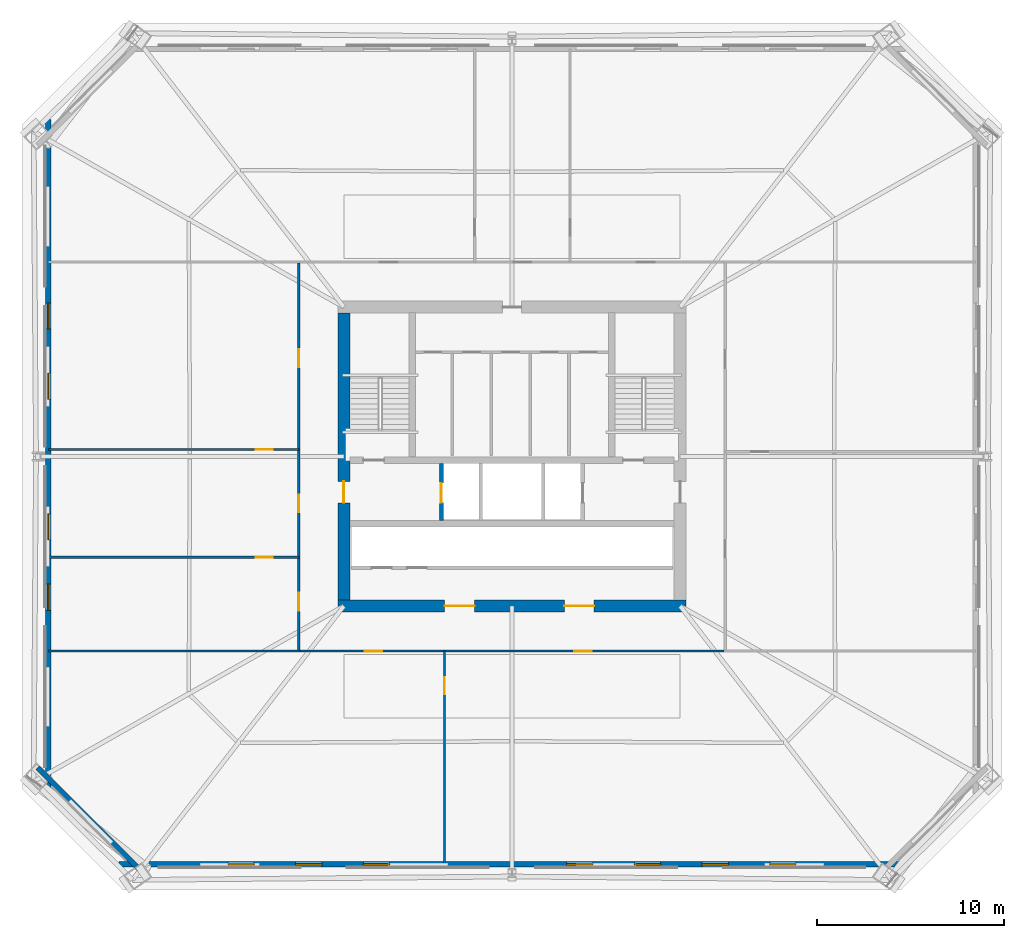
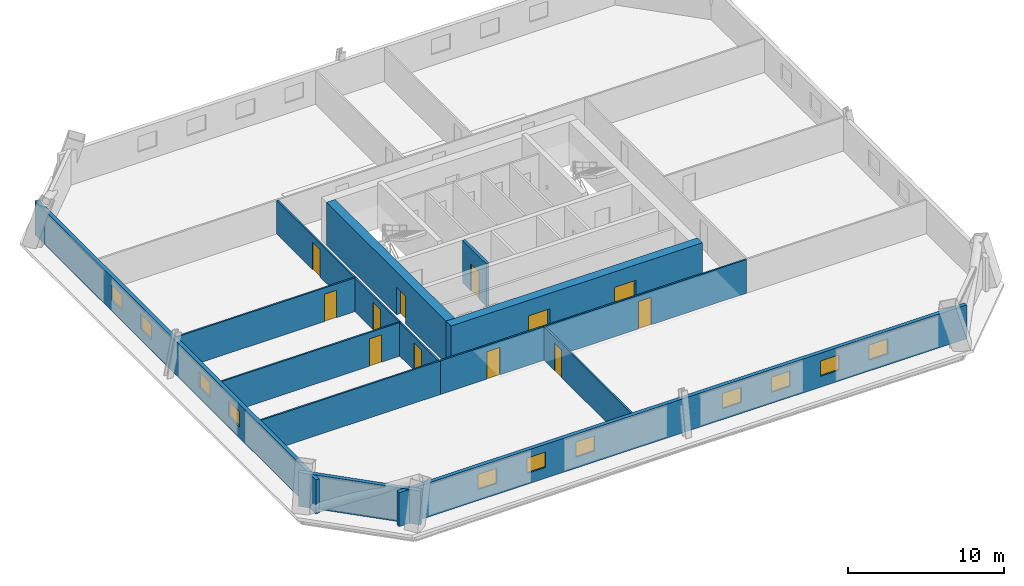
# One storey, part 5 of 10: 12 doors, 12 walls, 11 windows, 23 openings.
"""IFC4 building model written with IfcOpenShell, lengths in metres."""

from ifc_helpers import new_model, si_unit, direction, frame, frame_2d, origin, place, context, subcontext, project, spatial, rectangle, extrude, material, layer, layer_set, type_object, element, fill, save


model = new_model("IFC4")

# Units and contexts
model_context = context("Model", 3, precision=1e-05, world=origin(), true_north=direction((0.0, 1.0)))
body_context = subcontext(model_context, "Body", "Model", "MODEL_VIEW")
ifc_project = project(units=[si_unit("LENGTHUNIT", "METRE"), si_unit("AREAUNIT", "SQUARE_METRE"), si_unit("VOLUMEUNIT", "CUBIC_METRE"), si_unit("PLANEANGLEUNIT", "RADIAN"), si_unit("MASSUNIT", "GRAM", prefix="KILO")], contexts=[model_context])

# Site, building, storey
site_placement = place(None, origin())
site = spatial("IfcSite", under=ifc_project, at=site_placement, CompositionType="ELEMENT")
building_placement = place(site_placement, origin())
building = spatial("IfcBuilding", under=site, at=building_placement, Name="Caelvoria Tower", CompositionType="ELEMENT")
storey_placement = place(building_placement, frame((0.0, 0.0, 78.39990234375)))
storey = spatial("IfcBuildingStorey", under=building, at=storey_placement, Name="L20", CompositionType="ELEMENT", Elevation=78.39990234375)

# Wall, openings, windows
ifc_material_1 = material(Name="Precast Concrete C40/50 with Bronze Cladding", Category="concrete")
ifc_layer_1 = layer(ifc_material_1, 0.280029296875, Name="Precast Concrete C40/50 with Bronze Cladding")
ifc_layer_set_1 = layer_set([ifc_layer_1], Name="Exterior Precast Concrete C40/50 Bronze-Clad Facade Wall 280 - Precast Concrete C40/50 with Bronze Cladding")
wall_type_1 = type_object("IfcWallType", Name="Exterior Precast Concrete C40/50 Bronze-Clad Facade Wall 280", PredefinedType="STANDARD", material=ifc_layer_set_1)
wall_1_placement = place(storey_placement, frame((24.9599609375, 10.179931640625, 0.0), z_axis=(0.0, 0.0, 1.0), x_axis=(1.0, 0.0, 0.0)))
wall_1 = element("IfcWall", 1, at=wall_1_placement, inside=storey, type_object=wall_type_1, Name="Exterior Facade Wall L20-E0", PredefinedType="STANDARD", context=body_context, shape_type="SweptSolid", body=[
    extrude(rectangle(XDim=42.080078125, YDim=0.280029296875, at=frame_2d((21.0400390625, 0.0))), origin(), (0.0, 0.0, 1.0), 2.662109375),
])
opening_1_placement = place(wall_1_placement, frame((5.838134765625, 0.0, 0.85009765625)))
opening_1 = element("IfcOpeningElement", 2, at=opening_1_placement, cuts=wall_1, Name="Opening WN-06", PredefinedType="OPENING", context=body_context, shape_type="SweptSolid", body=[
    extrude(rectangle(XDim=1.39990234375, YDim=1.199951171875, at=frame_2d((0.699951171875, 0.60009765625))), frame((0.0, 0.14990234375, 0.0), z_axis=(0.0, -1.0, 0.0), x_axis=(1.0, 0.0, 0.0)), (0.0, 0.0, 1.0), 0.300048828125),
])
opening_2_placement = place(wall_1_placement, frame((9.463623046875, 0.0, 0.85009765625)))
opening_2 = element("IfcOpeningElement", 3, at=opening_2_placement, cuts=wall_1, Name="Opening WN-06", PredefinedType="OPENING", context=body_context, shape_type="SweptSolid", body=[
    extrude(rectangle(XDim=1.39990234375, YDim=1.199951171875, at=frame_2d((0.699951171875, 0.60009765625))), frame((0.0, 0.14990234375, 0.0), z_axis=(0.0, -1.0, 0.0), x_axis=(1.0, 0.0, 0.0)), (0.0, 0.0, 1.0), 0.300048828125),
])
opening_3_placement = place(wall_1_placement, frame((13.089111328125, 0.0, 0.85009765625)))
opening_3 = element("IfcOpeningElement", 4, at=opening_3_placement, cuts=wall_1, Name="Opening WN-06", PredefinedType="OPENING", context=body_context, shape_type="SweptSolid", body=[
    extrude(rectangle(XDim=1.39990234375, YDim=1.199951171875, at=frame_2d((0.699951171875, 0.60009765625))), frame((0.0, 0.14990234375, 0.0), z_axis=(0.0, -1.0, 0.0), x_axis=(1.0, 0.0, 0.0)), (0.0, 0.0, 1.0), 0.300048828125),
])
opening_4_placement = place(wall_1_placement, frame((23.965576171875, 0.0, 0.85009765625)))
opening_4 = element("IfcOpeningElement", 5, at=opening_4_placement, cuts=wall_1, Name="Opening WN-06", PredefinedType="OPENING", context=body_context, shape_type="SweptSolid", body=[
    extrude(rectangle(XDim=1.39990234375, YDim=1.199951171875, at=frame_2d((0.699951171875, 0.60009765625))), frame((0.0, 0.14990234375, 0.0), z_axis=(0.0, -1.0, 0.0), x_axis=(1.0, 0.0, 0.0)), (0.0, 0.0, 1.0), 0.300048828125),
])
opening_5_placement = place(wall_1_placement, frame((27.5908203125, 0.0, 0.85009765625)))
opening_5 = element("IfcOpeningElement", 6, at=opening_5_placement, cuts=wall_1, Name="Opening WN-06", PredefinedType="OPENING", context=body_context, shape_type="SweptSolid", body=[
    extrude(rectangle(XDim=1.39990234375, YDim=1.199951171875, at=frame_2d((0.699951171875, 0.60009765625))), frame((0.0, 0.14990234375, 0.0), z_axis=(0.0, -1.0, 0.0), x_axis=(1.0, 0.0, 0.0)), (0.0, 0.0, 1.0), 0.300048828125),
])
opening_6_placement = place(wall_1_placement, frame((31.21630859375, 0.0, 0.85009765625)))
opening_6 = element("IfcOpeningElement", 7, at=opening_6_placement, cuts=wall_1, Name="Opening WN-06", PredefinedType="OPENING", context=body_context, shape_type="SweptSolid", body=[
    extrude(rectangle(XDim=1.39990234375, YDim=1.199951171875, at=frame_2d((0.699951171875, 0.60009765625))), frame((0.0, 0.14990234375, 0.0), z_axis=(0.0, -1.0, 0.0), x_axis=(1.0, 0.0, 0.0)), (0.0, 0.0, 1.0), 0.300048828125),
])
opening_7_placement = place(wall_1_placement, frame((34.841796875, 0.0, 0.85009765625)))
opening_7 = element("IfcOpeningElement", 8, at=opening_7_placement, cuts=wall_1, Name="Opening WN-06", PredefinedType="OPENING", context=body_context, shape_type="SweptSolid", body=[
    extrude(rectangle(XDim=1.39990234375, YDim=1.199951171875, at=frame_2d((0.699951171875, 0.60009765625))), frame((0.0, 0.14990234375, 0.0), z_axis=(0.0, -1.0, 0.0), x_axis=(1.0, 0.0, 0.0)), (0.0, 0.0, 1.0), 0.300048828125),
])
ifc_material_2 = material(Name="Low-E Tinted Glass in Bronze Aluminium Frame", Category="aluminium")
window_type = type_object("IfcWindowType", Name="Podium Clerestory Window 1400x1200", PartitioningType="SINGLE_PANEL", PredefinedType="WINDOW", material=ifc_material_2)
window_1_placement = place(opening_1_placement, origin())
window_1 = element("IfcWindow", 9, at=window_1_placement, inside=storey, type_object=window_type, Name="Facade Window L20-E0-01", OverallHeight=1.199951171875, OverallWidth=1.39990234375, PartitioningType="SINGLE_PANEL", PredefinedType="WINDOW", context=body_context, shape_type="SweptSolid", body=[
    extrude(rectangle(XDim=1.39990234375, YDim=1.199951171875, at=frame_2d((0.699951171875, 0.60009765625))), frame((0.0, 0.030029296875, 0.0), z_axis=(0.0, -1.0, 0.0), x_axis=(1.0, 0.0, 0.0)), (0.0, 0.0, 1.0), 0.06005859375),
])
fill(opening_1, window_1)
window_2_placement = place(opening_2_placement, origin())
window_2 = element("IfcWindow", 10, at=window_2_placement, inside=storey, type_object=window_type, Name="Facade Window L20-E0-02", OverallHeight=1.199951171875, OverallWidth=1.39990234375, PartitioningType="SINGLE_PANEL", PredefinedType="WINDOW", context=body_context, shape_type="SweptSolid", body=[
    extrude(rectangle(XDim=1.39990234375, YDim=1.199951171875, at=frame_2d((0.699951171875, 0.60009765625))), frame((0.0, 0.030029296875, 0.0), z_axis=(0.0, -1.0, 0.0), x_axis=(1.0, 0.0, 0.0)), (0.0, 0.0, 1.0), 0.06005859375),
])
fill(opening_2, window_2)
window_3_placement = place(opening_3_placement, origin())
window_3 = element("IfcWindow", 11, at=window_3_placement, inside=storey, type_object=window_type, Name="Facade Window L20-E0-03", OverallHeight=1.199951171875, OverallWidth=1.39990234375, PartitioningType="SINGLE_PANEL", PredefinedType="WINDOW", context=body_context, shape_type="SweptSolid", body=[
    extrude(rectangle(XDim=1.39990234375, YDim=1.199951171875, at=frame_2d((0.699951171875, 0.60009765625))), frame((0.0, 0.030029296875, 0.0), z_axis=(0.0, -1.0, 0.0), x_axis=(1.0, 0.0, 0.0)), (0.0, 0.0, 1.0), 0.06005859375),
])
fill(opening_3, window_3)
window_4_placement = place(opening_4_placement, origin())
window_4 = element("IfcWindow", 12, at=window_4_placement, inside=storey, type_object=window_type, Name="Facade Window L20-E0-06", OverallHeight=1.199951171875, OverallWidth=1.39990234375, PartitioningType="SINGLE_PANEL", PredefinedType="WINDOW", context=body_context, shape_type="SweptSolid", body=[
    extrude(rectangle(XDim=1.39990234375, YDim=1.199951171875, at=frame_2d((0.699951171875, 0.60009765625))), frame((0.0, 0.030029296875, 0.0), z_axis=(0.0, -1.0, 0.0), x_axis=(1.0, 0.0, 0.0)), (0.0, 0.0, 1.0), 0.06005859375),
])
fill(opening_4, window_4)
window_5_placement = place(opening_5_placement, origin())
window_5 = element("IfcWindow", 13, at=window_5_placement, inside=storey, type_object=window_type, Name="Facade Window L20-E0-07", OverallHeight=1.199951171875, OverallWidth=1.39990234375, PartitioningType="SINGLE_PANEL", PredefinedType="WINDOW", context=body_context, shape_type="SweptSolid", body=[
    extrude(rectangle(XDim=1.39990234375, YDim=1.199951171875, at=frame_2d((0.699951171875, 0.60009765625))), frame((0.0, 0.030029296875, 0.0), z_axis=(0.0, -1.0, 0.0), x_axis=(1.0, 0.0, 0.0)), (0.0, 0.0, 1.0), 0.06005859375),
])
fill(opening_5, window_5)
window_6_placement = place(opening_6_placement, origin())
window_6 = element("IfcWindow", 14, at=window_6_placement, inside=storey, type_object=window_type, Name="Facade Window L20-E0-08", OverallHeight=1.199951171875, OverallWidth=1.39990234375, PartitioningType="SINGLE_PANEL", PredefinedType="WINDOW", context=body_context, shape_type="SweptSolid", body=[
    extrude(rectangle(XDim=1.39990234375, YDim=1.199951171875, at=frame_2d((0.699951171875, 0.60009765625))), frame((0.0, 0.030029296875, 0.0), z_axis=(0.0, -1.0, 0.0), x_axis=(1.0, 0.0, 0.0)), (0.0, 0.0, 1.0), 0.06005859375),
])
fill(opening_6, window_6)
window_7_placement = place(opening_7_placement, origin())
window_7 = element("IfcWindow", 15, at=window_7_placement, inside=storey, type_object=window_type, Name="Facade Window L20-E0-09", OverallHeight=1.199951171875, OverallWidth=1.39990234375, PartitioningType="SINGLE_PANEL", PredefinedType="WINDOW", context=body_context, shape_type="SweptSolid", body=[
    extrude(rectangle(XDim=1.39990234375, YDim=1.199951171875, at=frame_2d((0.699951171875, 0.60009765625))), frame((0.0, 0.030029296875, 0.0), z_axis=(0.0, -1.0, 0.0), x_axis=(1.0, 0.0, 0.0)), (0.0, 0.0, 1.0), 0.06005859375),
])
fill(opening_7, window_7)

wall_2_placement = place(storey_placement, frame((21.179931640625, 50.0400390625, 0.0), z_axis=(0.0, 0.0, 1.0), x_axis=(0.0, -1.0, 0.0)))
wall_2 = element("IfcWall", 16, at=wall_2_placement, inside=storey, type_object=wall_type_1, Name="Exterior Facade Wall L20-E6", PredefinedType="STANDARD", context=body_context, shape_type="SweptSolid", body=[
    extrude(rectangle(XDim=36.080078125, YDim=0.280029296875, at=frame_2d((18.0400390625, 0.0))), origin(), (0.0, 0.0, 1.0), 2.662109375),
])
opening_8_placement = place(wall_2_placement, frame((9.81103515625, 0.0, 0.85009765625)))
opening_8 = element("IfcOpeningElement", 17, at=opening_8_placement, cuts=wall_2, Name="Opening WN-06", PredefinedType="OPENING", context=body_context, shape_type="SweptSolid", body=[
    extrude(rectangle(XDim=1.39990234375, YDim=1.199951171875, at=frame_2d((0.699951171875, 0.60009765625))), frame((0.0, 0.14990234375, 0.0), z_axis=(0.0, -1.0, 0.0), x_axis=(1.0, 0.0, 0.0)), (0.0, 0.0, 1.0), 0.300048828125),
])
opening_9_placement = place(wall_2_placement, frame((13.57568359375, 0.0, 0.85009765625)))
opening_9 = element("IfcOpeningElement", 18, at=opening_9_placement, cuts=wall_2, Name="Opening WN-06", PredefinedType="OPENING", context=body_context, shape_type="SweptSolid", body=[
    extrude(rectangle(XDim=1.39990234375, YDim=1.199951171875, at=frame_2d((0.699951171875, 0.60009765625))), frame((0.0, 0.14990234375, 0.0), z_axis=(0.0, -1.0, 0.0), x_axis=(1.0, 0.0, 0.0)), (0.0, 0.0, 1.0), 0.300048828125),
])
opening_10_placement = place(wall_2_placement, frame((21.1044921875, 0.0, 0.85009765625)))
opening_10 = element("IfcOpeningElement", 19, at=opening_10_placement, cuts=wall_2, Name="Opening WN-06", PredefinedType="OPENING", context=body_context, shape_type="SweptSolid", body=[
    extrude(rectangle(XDim=1.39990234375, YDim=1.199951171875, at=frame_2d((0.699951171875, 0.60009765625))), frame((0.0, 0.14990234375, 0.0), z_axis=(0.0, -1.0, 0.0), x_axis=(1.0, 0.0, 0.0)), (0.0, 0.0, 1.0), 0.300048828125),
])
opening_11_placement = place(wall_2_placement, frame((24.868896484375, 0.0, 0.85009765625)))
opening_11 = element("IfcOpeningElement", 20, at=opening_11_placement, cuts=wall_2, Name="Opening WN-06", PredefinedType="OPENING", context=body_context, shape_type="SweptSolid", body=[
    extrude(rectangle(XDim=1.39990234375, YDim=1.199951171875, at=frame_2d((0.699951171875, 0.60009765625))), frame((0.0, 0.14990234375, 0.0), z_axis=(0.0, -1.0, 0.0), x_axis=(1.0, 0.0, 0.0)), (0.0, 0.0, 1.0), 0.300048828125),
])
window_8_placement = place(opening_8_placement, origin())
window_8 = element("IfcWindow", 21, at=window_8_placement, inside=storey, type_object=window_type, Name="Facade Window L20-E6-02", OverallHeight=1.199951171875, OverallWidth=1.39990234375, PartitioningType="SINGLE_PANEL", PredefinedType="WINDOW", context=body_context, shape_type="SweptSolid", body=[
    extrude(rectangle(XDim=1.39990234375, YDim=1.199951171875, at=frame_2d((0.699951171875, 0.60009765625))), frame((0.0, 0.030029296875, 0.0), z_axis=(0.0, -1.0, 0.0), x_axis=(1.0, 0.0, 0.0)), (0.0, 0.0, 1.0), 0.06005859375),
])
fill(opening_8, window_8)
window_9_placement = place(opening_9_placement, origin())
window_9 = element("IfcWindow", 22, at=window_9_placement, inside=storey, type_object=window_type, Name="Facade Window L20-E6-03", OverallHeight=1.199951171875, OverallWidth=1.39990234375, PartitioningType="SINGLE_PANEL", PredefinedType="WINDOW", context=body_context, shape_type="SweptSolid", body=[
    extrude(rectangle(XDim=1.39990234375, YDim=1.199951171875, at=frame_2d((0.699951171875, 0.60009765625))), frame((0.0, 0.030029296875, 0.0), z_axis=(0.0, -1.0, 0.0), x_axis=(1.0, 0.0, 0.0)), (0.0, 0.0, 1.0), 0.06005859375),
])
fill(opening_9, window_9)
window_10_placement = place(opening_10_placement, origin())
window_10 = element("IfcWindow", 23, at=window_10_placement, inside=storey, type_object=window_type, Name="Facade Window L20-E6-05", OverallHeight=1.199951171875, OverallWidth=1.39990234375, PartitioningType="SINGLE_PANEL", PredefinedType="WINDOW", context=body_context, shape_type="SweptSolid", body=[
    extrude(rectangle(XDim=1.39990234375, YDim=1.199951171875, at=frame_2d((0.699951171875, 0.60009765625))), frame((0.0, 0.030029296875, 0.0), z_axis=(0.0, -1.0, 0.0), x_axis=(1.0, 0.0, 0.0)), (0.0, 0.0, 1.0), 0.06005859375),
])
fill(opening_10, window_10)
window_11_placement = place(opening_11_placement, origin())
window_11 = element("IfcWindow", 24, at=window_11_placement, inside=storey, type_object=window_type, Name="Facade Window L20-E6-06", OverallHeight=1.199951171875, OverallWidth=1.39990234375, PartitioningType="SINGLE_PANEL", PredefinedType="WINDOW", context=body_context, shape_type="SweptSolid", body=[
    extrude(rectangle(XDim=1.39990234375, YDim=1.199951171875, at=frame_2d((0.699951171875, 0.60009765625))), frame((0.0, 0.030029296875, 0.0), z_axis=(0.0, -1.0, 0.0), x_axis=(1.0, 0.0, 0.0)), (0.0, 0.0, 1.0), 0.06005859375),
])
fill(opening_11, window_11)

# Wall
wall_3_placement = place(storey_placement, frame((20.606201171875, 15.345458984375, 0.0), z_axis=(0.0, 0.0, 1.0), x_axis=(0.707106781187, -0.707106781187, 0.0)))
element("IfcWall", 25, at=wall_3_placement, inside=storey, type_object=wall_type_1, Name="Exterior Facade Wall L20-E7", PredefinedType="STANDARD", context=body_context, shape_type="SweptSolid", body=[
    extrude(rectangle(XDim=8.116455078125, YDim=0.280029296875, at=frame_2d((4.05810546875, 0.0))), origin(), (0.0, 0.0, 1.0), 2.662109375),
])

# Wall, opening, door
ifc_material_3 = material(Name="Concrete Block and Fireboard Assembly", Category="concrete")
ifc_layer_2 = layer(ifc_material_3, 0.199951171875, Name="Concrete Block and Fireboard Assembly")
ifc_layer_set_2 = layer_set([ifc_layer_2], Name="Fire-Rated Shaft and Core Partition Wall 200 - Concrete Block and Fireboard Assembly")
wall_type_2 = type_object("IfcWallType", Name="Fire-Rated Shaft and Core Partition Wall 200", PredefinedType="PARTITIONING", material=ifc_layer_set_2)
wall_4_placement = place(storey_placement, frame((42.219970703125, 28.580078125, 0.0), z_axis=(0.0, 0.0, 1.0), x_axis=(0.0, 1.0, 0.0)))
wall_4 = element("IfcWall", 26, at=wall_4_placement, inside=storey, type_object=wall_type_2, Name="Interior Partition IW-L20-LF1W", PredefinedType="PARTITIONING", context=body_context, shape_type="SweptSolid", body=[
    extrude(rectangle(XDim=3.0400390625, YDim=0.199951171875, at=frame_2d((1.52001953125, 0.0))), origin(), (0.0, 0.0, 1.0), 3.360107421875),
])
opening_12_placement = place(wall_4_placement, frame((0.949951171875, 0.0, 0.0)))
opening_12 = element("IfcOpeningElement", 27, at=opening_12_placement, cuts=wall_4, Name="Opening LD-01", PredefinedType="OPENING", context=body_context, shape_type="SweptSolid", body=[
    extrude(rectangle(XDim=1.050048828125, YDim=2.14990234375, at=frame_2d((0.52490234375, 1.074951171875))), frame((0.0, 0.10986328125, 0.0), z_axis=(0.0, -1.0, 0.0), x_axis=(1.0, 0.0, 0.0)), (0.0, 0.0, 1.0), 0.219970703125),
])
ifc_material_4 = material(Name="Brushed Bronze Stainless Sliding Landing Door", Category="aluminium")
door_type_1 = type_object("IfcDoorType", Name="Lift Landing Sliding Door 1100x2150", OperationType="NOTDEFINED", PredefinedType="DOOR", material=ifc_material_4)
door_1_placement = place(opening_12_placement, origin())
door_1 = element("IfcDoor", 28, at=door_1_placement, inside=storey, type_object=door_type_1, Name="Interior Door LD-L20-LF1", OperationType="SLIDING_TO_LEFT", OverallHeight=2.14990234375, OverallWidth=1.050048828125, PredefinedType="DOOR", context=body_context, shape_type="SweptSolid", body=[
    extrude(rectangle(XDim=1.050048828125, YDim=2.14990234375, at=frame_2d((0.52490234375, 1.074951171875))), frame((0.0, 0.02490234375, 0.0), z_axis=(0.0, -1.0, 0.0), x_axis=(1.0, 0.0, 0.0)), (0.0, 0.0, 1.0), 0.050048828125),
])
fill(opening_12, door_1)

# Wall, openings, doors
ifc_material_5 = material(Name="Concrete C60/75", Category="concrete")
ifc_layer_3 = layer(ifc_material_5, 0.64990234375, Name="Concrete C60/75")
ifc_layer_set_3 = layer_set([ifc_layer_3], Name="Lower Core Shear Wall 650 - Concrete C60/75")
wall_type_3 = type_object("IfcWallType", Name="Lower Core Shear Wall 650", PredefinedType="SHEAR", material=ifc_layer_set_3)
wall_5_placement = place(storey_placement, frame((36.675048828125, 24.0, 0.0), z_axis=(0.0, 0.0, 1.0), x_axis=(1.0, 0.0, 0.0)))
wall_5 = element("IfcWall", 29, at=wall_5_placement, inside=storey, type_object=wall_type_3, Name="Core Shear Wall L20 S", PredefinedType="SHEAR", context=body_context, shape_type="SweptSolid", body=[
    extrude(rectangle(XDim=18.64990234375, YDim=0.64990234375, at=frame_2d((9.324951171875, 0.0))), origin(), (0.0, 0.0, 1.0), 3.360107421875),
])
opening_13_placement = place(wall_5_placement, frame((5.72509765625, 0.0, 0.0)))
opening_13 = element("IfcOpeningElement", 30, at=opening_13_placement, cuts=wall_5, Name="Opening ID-08", PredefinedType="OPENING", context=body_context, shape_type="SweptSolid", body=[
    extrude(rectangle(XDim=1.60009765625, YDim=2.14990234375, at=frame_2d((0.800048828125, 1.074951171875))), frame((0.0, 0.3349609375, 0.0), z_axis=(0.0, -1.0, 0.0), x_axis=(1.0, 0.0, 0.0)), (0.0, 0.0, 1.0), 0.669921875),
])
opening_14_placement = place(wall_5_placement, frame((12.125, 0.0, 0.0)))
opening_14 = element("IfcOpeningElement", 31, at=opening_14_placement, cuts=wall_5, Name="Opening ID-08", PredefinedType="OPENING", context=body_context, shape_type="SweptSolid", body=[
    extrude(rectangle(XDim=1.60009765625, YDim=2.14990234375, at=frame_2d((0.800048828125, 1.074951171875))), frame((0.0, 0.3349609375, 0.0), z_axis=(0.0, -1.0, 0.0), x_axis=(1.0, 0.0, 0.0)), (0.0, 0.0, 1.0), 0.669921875),
])
ifc_material_6 = material(Name="Bronze-Framed Fire-Rated Glazed Double Door", Category="aluminium")
door_type_2 = type_object("IfcDoorType", Name="Double Lobby Glazed Door 1600x2200", OperationType="NOTDEFINED", PredefinedType="DOOR", material=ifc_material_6)
door_2_placement = place(opening_13_placement, origin())
door_2 = element("IfcDoor", 32, at=door_2_placement, inside=storey, type_object=door_type_2, Name="Core Door DR-L20-LLOB-S1", OperationType="DOUBLE_DOOR_SINGLE_SWING", OverallHeight=2.14990234375, OverallWidth=1.60009765625, PredefinedType="DOOR", context=body_context, shape_type="SweptSolid", body=[
    extrude(rectangle(XDim=1.60009765625, YDim=2.14990234375, at=frame_2d((0.800048828125, 1.074951171875))), frame((0.0, 0.02490234375, 0.0), z_axis=(0.0, -1.0, 0.0), x_axis=(1.0, 0.0, 0.0)), (0.0, 0.0, 1.0), 0.050048828125),
])
fill(opening_13, door_2)
door_3_placement = place(opening_14_placement, origin())
door_3 = element("IfcDoor", 33, at=door_3_placement, inside=storey, type_object=door_type_2, Name="Core Door DR-L20-LLOB-S2", OperationType="DOUBLE_DOOR_SINGLE_SWING", OverallHeight=2.14990234375, OverallWidth=1.60009765625, PredefinedType="DOOR", context=body_context, shape_type="SweptSolid", body=[
    extrude(rectangle(XDim=1.60009765625, YDim=2.14990234375, at=frame_2d((0.800048828125, 1.074951171875))), frame((0.0, 0.02490234375, 0.0), z_axis=(0.0, -1.0, 0.0), x_axis=(1.0, 0.0, 0.0)), (0.0, 0.0, 1.0), 0.050048828125),
])
fill(opening_14, door_3)

# Wall, opening, door
wall_6_placement = place(storey_placement, frame((37.0, 24.324951171875, 0.0), z_axis=(0.0, 0.0, 1.0), x_axis=(0.0, 1.0, 0.0)))
wall_6 = element("IfcWall", 34, at=wall_6_placement, inside=storey, type_object=wall_type_3, Name="Core Shear Wall L20 W", PredefinedType="SHEAR", context=body_context, shape_type="SweptSolid", body=[
    extrude(rectangle(XDim=15.35009765625, YDim=0.64990234375, at=frame_2d((7.675048828125, 0.0))), origin(), (0.0, 0.0, 1.0), 3.360107421875),
])
opening_15_placement = place(wall_6_placement, frame((5.199951171875, 0.0, 0.0)))
opening_15 = element("IfcOpeningElement", 35, at=opening_15_placement, cuts=wall_6, Name="Opening ID-02", PredefinedType="OPENING", context=body_context, shape_type="SweptSolid", body=[
    extrude(rectangle(XDim=1.14990234375, YDim=2.14990234375, at=frame_2d((0.574951171875, 1.074951171875))), frame((0.0, 0.3349609375, 0.0), z_axis=(0.0, -1.0, 0.0), x_axis=(1.0, 0.0, 0.0)), (0.0, 0.0, 1.0), 0.669921875),
])
ifc_material_7 = material(Name="Painted Hollow Steel Fire Door", Category="steel")
door_type_3 = type_object("IfcDoorType", Name="Fire Door FD60S 1150x2150", OperationType="NOTDEFINED", PredefinedType="DOOR", material=ifc_material_7)
door_4_placement = place(opening_15_placement, origin())
door_4 = element("IfcDoor", 36, at=door_4_placement, inside=storey, type_object=door_type_3, Name="Core Door DR-L20-FFLW-OUT", OperationType="SINGLE_SWING_LEFT", OverallHeight=2.14990234375, OverallWidth=1.14990234375, PredefinedType="DOOR", context=body_context, shape_type="SweptSolid", body=[
    extrude(rectangle(XDim=1.14990234375, YDim=2.14990234375, at=frame_2d((0.574951171875, 1.074951171875))), frame((0.0, 0.02490234375, 0.0), z_axis=(0.0, -1.0, 0.0), x_axis=(1.0, 0.0, 0.0)), (0.0, 0.0, 1.0), 0.050048828125),
])
fill(opening_15, door_4)

ifc_material_8 = material(Name="Acoustic Gypsum Board on Light-Gauge Stud", Category="gypsum")
ifc_layer_4 = layer(ifc_material_8, 0.1201171875, Name="Acoustic Gypsum Board on Light-Gauge Stud")
ifc_layer_set_4 = layer_set([ifc_layer_4], Name="Tenant Suite Acoustic Partition Wall 120 - Acoustic Gypsum Board on Light-Gauge Stud")
wall_type_4 = type_object("IfcWallType", Name="Tenant Suite Acoustic Partition Wall 120", PredefinedType="PARTITIONING", material=ifc_layer_set_4)
wall_7_placement = place(storey_placement, frame((42.38671875, 21.590087890625, 0.0), z_axis=(0.0, 0.0, 1.0), x_axis=(0.0, -1.0, 0.0)))
wall_7 = element("IfcWall", 37, at=wall_7_placement, inside=storey, type_object=wall_type_4, Name="Interior Partition IW-L20-SD-00-0", PredefinedType="PARTITIONING", context=body_context, shape_type="SweptSolid", body=[
    extrude(rectangle(XDim=11.41015625, YDim=0.1201171875, at=frame_2d((5.705078125, 0.0))), origin(), (0.0, 0.0, 1.0), 2.64013671875),
])
opening_16_placement = place(wall_7_placement, frame((1.39990234375, 0.0, 0.0)))
opening_16 = element("IfcOpeningElement", 38, at=opening_16_placement, cuts=wall_7, Name="Opening ID-06", PredefinedType="OPENING", context=body_context, shape_type="SweptSolid", body=[
    extrude(rectangle(XDim=0.89990234375, YDim=2.14990234375, at=frame_2d((0.449951171875, 1.074951171875))), frame((0.0, 0.070068359375, 0.0), z_axis=(0.0, -1.0, 0.0), x_axis=(1.0, 0.0, 0.0)), (0.0, 0.0, 1.0), 0.14013671875),
])
ifc_material_9 = material(Name="Engineered Andean Oak Veneer Door", Category="wood")
door_type_4 = type_object("IfcDoorType", Name="Interior Timber Door 900x2150", OperationType="NOTDEFINED", PredefinedType="DOOR", material=ifc_material_9)
door_5_placement = place(opening_16_placement, origin())
door_5 = element("IfcDoor", 39, at=door_5_placement, inside=storey, type_object=door_type_4, Name="Interior Door DR-L20-SM-00-0", OperationType="SINGLE_SWING_RIGHT", OverallHeight=2.14990234375, OverallWidth=0.89990234375, PredefinedType="DOOR", context=body_context, shape_type="SweptSolid", body=[
    extrude(rectangle(XDim=0.89990234375, YDim=2.14990234375, at=frame_2d((0.449951171875, 1.074951171875))), frame((0.0, 0.02490234375, 0.0), z_axis=(0.0, -1.0, 0.0), x_axis=(1.0, 0.0, 0.0)), (0.0, 0.0, 1.0), 0.050048828125),
])
fill(opening_16, door_5)

# Wall, openings, doors
wall_8_placement = place(storey_placement, frame((34.64990234375, 21.590087890625, 0.0), z_axis=(0.0, 0.0, 1.0), x_axis=(1.0, 0.0, 0.0)))
wall_8 = element("IfcWall", 40, at=wall_8_placement, inside=storey, type_object=wall_type_4, Name="Interior Partition IW-L20-SCW-0", PredefinedType="PARTITIONING", context=body_context, shape_type="SweptSolid", body=[
    extrude(rectangle(XDim=22.7001953125, YDim=0.1201171875, at=frame_2d((11.35009765625, 0.0))), origin(), (0.0, 0.0, 1.0), 2.64013671875),
])
opening_17_placement = place(wall_8_placement, frame((3.46337890625, 0.0, 0.0)))
opening_17 = element("IfcOpeningElement", 41, at=opening_17_placement, cuts=wall_8, Name="Opening ID-05", PredefinedType="OPENING", context=body_context, shape_type="SweptSolid", body=[
    extrude(rectangle(XDim=0.949951171875, YDim=2.14990234375, at=frame_2d((0.47509765625, 1.074951171875))), frame((0.0, 0.070068359375, 0.0), z_axis=(0.0, -1.0, 0.0), x_axis=(1.0, 0.0, 0.0)), (0.0, 0.0, 1.0), 0.14013671875),
])
opening_18_placement = place(wall_8_placement, frame((14.67333984375, 0.0, 0.0)))
opening_18 = element("IfcOpeningElement", 42, at=opening_18_placement, cuts=wall_8, Name="Opening ID-05", PredefinedType="OPENING", context=body_context, shape_type="SweptSolid", body=[
    extrude(rectangle(XDim=0.949951171875, YDim=2.14990234375, at=frame_2d((0.47509765625, 1.074951171875))), frame((0.0, 0.070068359375, 0.0), z_axis=(0.0, -1.0, 0.0), x_axis=(1.0, 0.0, 0.0)), (0.0, 0.0, 1.0), 0.14013671875),
])
door_type_5 = type_object("IfcDoorType", Name="Interior Timber Door 950x2150", OperationType="NOTDEFINED", PredefinedType="DOOR", material=ifc_material_9)
door_6_placement = place(opening_17_placement, origin())
door_6 = element("IfcDoor", 43, at=door_6_placement, inside=storey, type_object=door_type_5, Name="Interior Door DR-L20-SC-00-0", OperationType="SINGLE_SWING_LEFT", OverallHeight=2.14990234375, OverallWidth=0.949951171875, PredefinedType="DOOR", context=body_context, shape_type="SweptSolid", body=[
    extrude(rectangle(XDim=0.949951171875, YDim=2.14990234375, at=frame_2d((0.47509765625, 1.074951171875))), frame((0.0, 0.02490234375, 0.0), z_axis=(0.0, -1.0, 0.0), x_axis=(1.0, 0.0, 0.0)), (0.0, 0.0, 1.0), 0.050048828125),
])
fill(opening_17, door_6)
door_7_placement = place(opening_18_placement, origin())
door_7 = element("IfcDoor", 44, at=door_7_placement, inside=storey, type_object=door_type_5, Name="Interior Door DR-L20-SC-01-0", OperationType="SINGLE_SWING_RIGHT", OverallHeight=2.14990234375, OverallWidth=0.949951171875, PredefinedType="DOOR", context=body_context, shape_type="SweptSolid", body=[
    extrude(rectangle(XDim=0.949951171875, YDim=2.14990234375, at=frame_2d((0.47509765625, 1.074951171875))), frame((0.0, 0.02490234375, 0.0), z_axis=(0.0, -1.0, 0.0), x_axis=(1.0, 0.0, 0.0)), (0.0, 0.0, 1.0), 0.050048828125),
])
fill(opening_18, door_7)

# Wall, opening, door
wall_9_placement = place(storey_placement, frame((34.590087890625, 26.609619140625, 0.0), z_axis=(0.0, 0.0, 1.0), x_axis=(-1.0, 0.0, 0.0)))
wall_9 = element("IfcWall", 45, at=wall_9_placement, inside=storey, type_object=wall_type_4, Name="Interior Partition IW-L20-WD-00-0", PredefinedType="PARTITIONING", context=body_context, shape_type="SweptSolid", body=[
    extrude(rectangle(XDim=13.41015625, YDim=0.1201171875, at=frame_2d((6.705078125, 0.0))), origin(), (0.0, 0.0, 1.0), 2.64013671875),
])
opening_19_placement = place(wall_9_placement, frame((1.39990234375, 0.0, 0.0)))
opening_19 = element("IfcOpeningElement", 46, at=opening_19_placement, cuts=wall_9, Name="Opening ID-06", PredefinedType="OPENING", context=body_context, shape_type="SweptSolid", body=[
    extrude(rectangle(XDim=0.89990234375, YDim=2.14990234375, at=frame_2d((0.449951171875, 1.074951171875))), frame((0.0, 0.070068359375, 0.0), z_axis=(0.0, -1.0, 0.0), x_axis=(1.0, 0.0, 0.0)), (0.0, 0.0, 1.0), 0.14013671875),
])
door_8_placement = place(opening_19_placement, origin())
door_8 = element("IfcDoor", 47, at=door_8_placement, inside=storey, type_object=door_type_4, Name="Interior Door DR-L20-WM-00-0", OperationType="SINGLE_SWING_RIGHT", OverallHeight=2.14990234375, OverallWidth=0.89990234375, PredefinedType="DOOR", context=body_context, shape_type="SweptSolid", body=[
    extrude(rectangle(XDim=0.89990234375, YDim=2.14990234375, at=frame_2d((0.449951171875, 1.074951171875))), frame((0.0, 0.02490234375, 0.0), z_axis=(0.0, -1.0, 0.0), x_axis=(1.0, 0.0, 0.0)), (0.0, 0.0, 1.0), 0.050048828125),
])
fill(opening_19, door_8)

wall_10_placement = place(storey_placement, frame((34.590087890625, 32.378173828125, 0.0), z_axis=(0.0, 0.0, 1.0), x_axis=(-1.0, 0.0, 0.0)))
wall_10 = element("IfcWall", 48, at=wall_10_placement, inside=storey, type_object=wall_type_4, Name="Interior Partition IW-L20-WD-01-0", PredefinedType="PARTITIONING", context=body_context, shape_type="SweptSolid", body=[
    extrude(rectangle(XDim=13.41015625, YDim=0.1201171875, at=frame_2d((6.705078125, 0.0))), origin(), (0.0, 0.0, 1.0), 2.64013671875),
])
opening_20_placement = place(wall_10_placement, frame((1.39990234375, 0.0, 0.0)))
opening_20 = element("IfcOpeningElement", 49, at=opening_20_placement, cuts=wall_10, Name="Opening ID-06", PredefinedType="OPENING", context=body_context, shape_type="SweptSolid", body=[
    extrude(rectangle(XDim=0.89990234375, YDim=2.14990234375, at=frame_2d((0.449951171875, 1.074951171875))), frame((0.0, 0.070068359375, 0.0), z_axis=(0.0, -1.0, 0.0), x_axis=(1.0, 0.0, 0.0)), (0.0, 0.0, 1.0), 0.14013671875),
])
door_9_placement = place(opening_20_placement, origin())
door_9 = element("IfcDoor", 50, at=door_9_placement, inside=storey, type_object=door_type_4, Name="Interior Door DR-L20-WM-01-0", OperationType="SINGLE_SWING_LEFT", OverallHeight=2.14990234375, OverallWidth=0.89990234375, PredefinedType="DOOR", context=body_context, shape_type="SweptSolid", body=[
    extrude(rectangle(XDim=0.89990234375, YDim=2.14990234375, at=frame_2d((0.449951171875, 1.074951171875))), frame((0.0, 0.02490234375, 0.0), z_axis=(0.0, -1.0, 0.0), x_axis=(1.0, 0.0, 0.0)), (0.0, 0.0, 1.0), 0.050048828125),
])
fill(opening_20, door_9)

# Wall, openings, doors
wall_11_placement = place(storey_placement, frame((34.590087890625, 21.64990234375, 0.0), z_axis=(0.0, 0.0, 1.0), x_axis=(0.0, 1.0, 0.0)))
wall_11 = element("IfcWall", 51, at=wall_11_placement, inside=storey, type_object=wall_type_4, Name="Interior Partition IW-L20-WCW-0", PredefinedType="PARTITIONING", context=body_context, shape_type="SweptSolid", body=[
    extrude(rectangle(XDim=20.7001953125, YDim=0.1201171875, at=frame_2d((10.35009765625, 0.0))), origin(), (0.0, 0.0, 1.0), 2.64013671875),
])
opening_21_placement = place(wall_11_placement, frame((2.104736328125, 0.0, 0.0)))
opening_21 = element("IfcOpeningElement", 52, at=opening_21_placement, cuts=wall_11, Name="Opening ID-05", PredefinedType="OPENING", context=body_context, shape_type="SweptSolid", body=[
    extrude(rectangle(XDim=0.949951171875, YDim=2.14990234375, at=frame_2d((0.47509765625, 1.074951171875))), frame((0.0, 0.070068359375, 0.0), z_axis=(0.0, -1.0, 0.0), x_axis=(1.0, 0.0, 0.0)), (0.0, 0.0, 1.0), 0.14013671875),
])
opening_22_placement = place(wall_11_placement, frame((7.368896484375, 0.0, 0.0)))
opening_22 = element("IfcOpeningElement", 53, at=opening_22_placement, cuts=wall_11, Name="Opening ID-05", PredefinedType="OPENING", context=body_context, shape_type="SweptSolid", body=[
    extrude(rectangle(XDim=0.949951171875, YDim=2.14990234375, at=frame_2d((0.47509765625, 1.074951171875))), frame((0.0, 0.070068359375, 0.0), z_axis=(0.0, -1.0, 0.0), x_axis=(1.0, 0.0, 0.0)), (0.0, 0.0, 1.0), 0.14013671875),
])
opening_23_placement = place(wall_11_placement, frame((15.13916015625, 0.0, 0.0)))
opening_23 = element("IfcOpeningElement", 54, at=opening_23_placement, cuts=wall_11, Name="Opening ID-05", PredefinedType="OPENING", context=body_context, shape_type="SweptSolid", body=[
    extrude(rectangle(XDim=0.949951171875, YDim=2.14990234375, at=frame_2d((0.47509765625, 1.074951171875))), frame((0.0, 0.070068359375, 0.0), z_axis=(0.0, -1.0, 0.0), x_axis=(1.0, 0.0, 0.0)), (0.0, 0.0, 1.0), 0.14013671875),
])
door_10_placement = place(opening_21_placement, origin())
door_10 = element("IfcDoor", 55, at=door_10_placement, inside=storey, type_object=door_type_5, Name="Interior Door DR-L20-WC-00-0", OperationType="SINGLE_SWING_LEFT", OverallHeight=2.14990234375, OverallWidth=0.949951171875, PredefinedType="DOOR", context=body_context, shape_type="SweptSolid", body=[
    extrude(rectangle(XDim=0.949951171875, YDim=2.14990234375, at=frame_2d((0.47509765625, 1.074951171875))), frame((0.0, 0.02490234375, 0.0), z_axis=(0.0, -1.0, 0.0), x_axis=(1.0, 0.0, 0.0)), (0.0, 0.0, 1.0), 0.050048828125),
])
fill(opening_21, door_10)
door_11_placement = place(opening_22_placement, origin())
door_11 = element("IfcDoor", 56, at=door_11_placement, inside=storey, type_object=door_type_5, Name="Interior Door DR-L20-WC-01-0", OperationType="SINGLE_SWING_RIGHT", OverallHeight=2.14990234375, OverallWidth=0.949951171875, PredefinedType="DOOR", context=body_context, shape_type="SweptSolid", body=[
    extrude(rectangle(XDim=0.949951171875, YDim=2.14990234375, at=frame_2d((0.47509765625, 1.074951171875))), frame((0.0, 0.02490234375, 0.0), z_axis=(0.0, -1.0, 0.0), x_axis=(1.0, 0.0, 0.0)), (0.0, 0.0, 1.0), 0.050048828125),
])
fill(opening_22, door_11)
door_12_placement = place(opening_23_placement, origin())
door_12 = element("IfcDoor", 57, at=door_12_placement, inside=storey, type_object=door_type_5, Name="Interior Door DR-L20-WC-02-0", OperationType="SINGLE_SWING_LEFT", OverallHeight=2.14990234375, OverallWidth=0.949951171875, PredefinedType="DOOR", context=body_context, shape_type="SweptSolid", body=[
    extrude(rectangle(XDim=0.949951171875, YDim=2.14990234375, at=frame_2d((0.47509765625, 1.074951171875))), frame((0.0, 0.02490234375, 0.0), z_axis=(0.0, -1.0, 0.0), x_axis=(1.0, 0.0, 0.0)), (0.0, 0.0, 1.0), 0.050048828125),
])
fill(opening_23, door_12)

# Wall
wall_12_placement = place(storey_placement, frame((34.64990234375, 21.590087890625, 0.0), z_axis=(0.0, 0.0, 1.0), x_axis=(-1.0, 0.0, 0.0)))
element("IfcWall", 58, at=wall_12_placement, inside=storey, type_object=wall_type_4, Name="Interior Partition IW-L20-BSW-0", PredefinedType="PARTITIONING", context=body_context, shape_type="SweptSolid", body=[
    extrude(rectangle(XDim=13.469970703125, YDim=0.1201171875, at=frame_2d((6.73486328125, 0.0))), origin(), (0.0, 0.0, 1.0), 2.64013671875),
])

save(model, "model.ifc")
